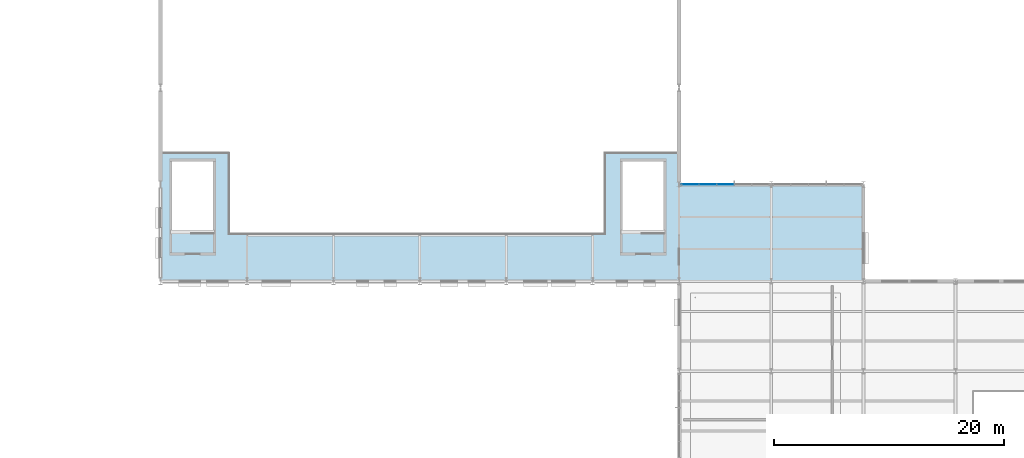
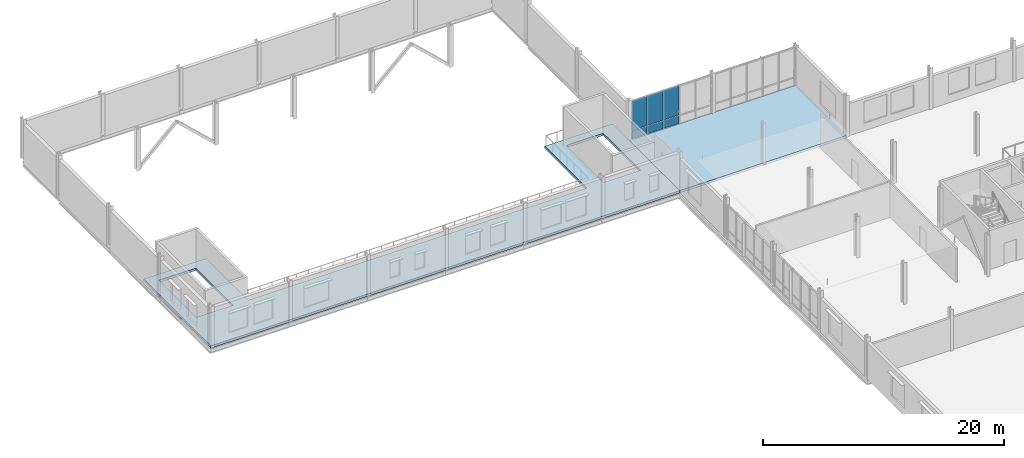
# One storey, part 51 of 75: 6 plates, 2 slabs, 1 element without a shape of its own.
"""IFC4 building model written with IfcOpenShell, lengths in metres."""

from ifc_helpers import new_model, si_unit, direction, frame, origin, origin_2d, place, context, subcontext, project, spatial, polyline, rectangle, outline, extrude, material, layer, layer_set, type_object, element, aggregate, save


model = new_model("IFC4")

# Units and contexts
model_context = context("Model", 3, precision=1e-05, world=origin(), true_north=direction((0.0, 1.0)))
body_context = subcontext(model_context, "Body", "Model", "MODEL_VIEW")
ifc_project = project(units=[si_unit("LENGTHUNIT", "METRE"), si_unit("AREAUNIT", "SQUARE_METRE"), si_unit("VOLUMEUNIT", "CUBIC_METRE"), si_unit("PLANEANGLEUNIT", "RADIAN"), si_unit("MASSUNIT", "GRAM", prefix="KILO")], contexts=[model_context])

# Site, building, storey
site_placement = place(None, origin())
site = spatial("IfcSite", under=ifc_project, at=site_placement, CompositionType="ELEMENT")
building_placement = place(site_placement, origin())
building = spatial("IfcBuilding", under=site, at=building_placement, Name="Yukiwa Park Conservatory and Herbarium", CompositionType="ELEMENT")
storey_placement = place(building_placement, frame((0.0, 0.0, 4.800048828125)))
storey = spatial("IfcBuildingStorey", under=building, at=storey_placement, Name="L01", CompositionType="ELEMENT", Elevation=4.800048828125)

# Curtain wall, plates
ifc_material_1 = material(Name="Triple Low-E Insulated Glass", Category="glass")
ifc_layer_1 = layer(ifc_material_1, 0.236083984375)
ifc_layer_set_1 = layer_set([ifc_layer_1], Name="Triple Low-E Insulated Glass")
curtain_wall_type = type_object("IfcCurtainWallType", Name="CW-LINK-1500", PredefinedType="NOTDEFINED", material=ifc_layer_set_1)
curtain_wall_placement = place(storey_placement, origin())
curtain_wall = element("IfcCurtainWall", 1, at=curtain_wall_placement, inside=storey, type_object=curtain_wall_type, Name="L01 unitised curtain wall CW-L01-047", PredefinedType="NOTDEFINED")
ifc_material_2 = material(Name="Triple Low-E Insulated Glass", Category="glass")
ifc_layer_2 = layer(ifc_material_2, 0.035888671875)
ifc_layer_set_2 = layer_set([ifc_layer_2], Name="Triple Low-E Insulated Glass")
plate_type_1 = type_object("IfcPlateType", Name="PL-CW-GLZ-36", PredefinedType="CURTAIN_PANEL", material=ifc_layer_set_2)
plate_1_placement = place(storey_placement, frame((64.02490234375, 86.39990234375, 0.93505859375), z_axis=(0.0, 0.0, 1.0), x_axis=(-1.0, 0.0, 0.0)))
plate_1 = element("IfcPlate", 2, at=plate_1_placement, type_object=plate_type_1, Name="CW-L01-047 vision panel 3.2", PredefinedType="CURTAIN_PANEL", context=body_context, shape_type="SweptSolid", body=[
    extrude(rectangle(XDim=1.4599609375, YDim=0.035888671875, at=origin_2d()), origin(), (0.0, 0.0, 1.0), 2.949951171875),
])
plate_2_placement = place(storey_placement, frame((62.4951171875, 86.39990234375, 0.93505859375), z_axis=(0.0, 0.0, 1.0), x_axis=(-1.0, 0.0, 0.0)))
plate_2 = element("IfcPlate", 3, at=plate_2_placement, type_object=plate_type_1, Name="CW-L01-047 vision panel 4.2", PredefinedType="CURTAIN_PANEL", context=body_context, shape_type="SweptSolid", body=[
    extrude(rectangle(XDim=1.4599609375, YDim=0.035888671875, at=origin_2d()), origin(), (0.0, 0.0, 1.0), 2.949951171875),
])
plate_3_placement = place(storey_placement, frame((60.965087890625, 86.39990234375, 0.93505859375), z_axis=(0.0, 0.0, 1.0), x_axis=(-1.0, 0.0, 0.0)))
plate_3 = element("IfcPlate", 4, at=plate_3_placement, type_object=plate_type_1, Name="CW-L01-047 vision panel 5.2", PredefinedType="CURTAIN_PANEL", context=body_context, shape_type="SweptSolid", body=[
    extrude(rectangle(XDim=1.4599609375, YDim=0.035888671875, at=origin_2d()), origin(), (0.0, 0.0, 1.0), 2.949951171875),
])
ifc_material_3 = material(Name="Anodised Aluminium", Category="aluminium")
ifc_layer_3 = layer(ifc_material_3, 0.044921875)
ifc_layer_set_3 = layer_set([ifc_layer_3], Name="Anodised Aluminium")
plate_type_2 = type_object("IfcPlateType", Name="PL-CW-SPN-45", PredefinedType="CURTAIN_PANEL", material=ifc_layer_set_3)
plate_4_placement = place(storey_placement, frame((64.02490234375, 86.39990234375, 0.070068359375), z_axis=(0.0, 0.0, 1.0), x_axis=(-1.0, 0.0, 0.0)))
plate_4 = element("IfcPlate", 5, at=plate_4_placement, type_object=plate_type_2, Name="CW-L01-047 spandrel panel 3.1", PredefinedType="CURTAIN_PANEL", context=body_context, shape_type="SweptSolid", body=[
    extrude(rectangle(XDim=1.4599609375, YDim=0.044921875, at=origin_2d()), origin(), (0.0, 0.0, 1.0), 0.794921875),
])
plate_5_placement = place(storey_placement, frame((62.4951171875, 86.39990234375, 0.070068359375), z_axis=(0.0, 0.0, 1.0), x_axis=(-1.0, 0.0, 0.0)))
plate_5 = element("IfcPlate", 6, at=plate_5_placement, type_object=plate_type_2, Name="CW-L01-047 spandrel panel 4.1", PredefinedType="CURTAIN_PANEL", context=body_context, shape_type="SweptSolid", body=[
    extrude(rectangle(XDim=1.4599609375, YDim=0.044921875, at=origin_2d()), origin(), (0.0, 0.0, 1.0), 0.794921875),
])
plate_6_placement = place(storey_placement, frame((60.965087890625, 86.39990234375, 0.070068359375), z_axis=(0.0, 0.0, 1.0), x_axis=(-1.0, 0.0, 0.0)))
plate_6 = element("IfcPlate", 7, at=plate_6_placement, type_object=plate_type_2, Name="CW-L01-047 spandrel panel 5.1", PredefinedType="CURTAIN_PANEL", context=body_context, shape_type="SweptSolid", body=[
    extrude(rectangle(XDim=1.4599609375, YDim=0.044921875, at=origin_2d()), origin(), (0.0, 0.0, 1.0), 0.794921875),
])
aggregate(curtain_wall, [plate_4, plate_1, plate_5, plate_2, plate_6, plate_3])

# Slabs
ifc_material_4 = material(Name="Concrete C40", Category="concrete")
ifc_layer_4 = layer(ifc_material_4, 0.239990234375)
ifc_layer_set_4 = layer_set([ifc_layer_4], Name="Concrete C40")
slab_type = type_object("IfcSlabType", Name="SL-FLR-240", PredefinedType="FLOOR", material=ifc_layer_set_4)
slab_1_placement = place(storey_placement, frame((0.0, 0.0, -0.239990234375)))
element("IfcSlab", 8, at=slab_1_placement, inside=storey, type_object=slab_type, Name="L01 composite structural floor slab LNKAV", PredefinedType="FLOOR", context=body_context, shape_type="SweptSolid", body=[
    extrude(outline(polyline([(60.0, 78.0), (60.0, 86.39990234375), (76.0, 86.39990234375), (76.0, 78.0), (60.0, 78.0)])), origin(), (0.0, 0.0, 1.0), 0.239990234375),
])
slab_2_placement = place(storey_placement, frame((0.0, 0.0, -0.239990234375)))
element("IfcSlab", 9, at=slab_2_placement, inside=storey, type_object=slab_type, Name="L01 composite structural floor slab V4", PredefinedType="FLOOR", context=body_context, shape_type="SweptSolid", body=[
    extrude(outline(polyline([(53.5, 78.0), (21.0, 78.0), (15.0, 78.0), (15.0, 82.199951171875), (15.0, 89.199951171875), (21.0, 89.199951171875), (21.0, 82.199951171875), (53.5, 82.199951171875), (53.5, 89.199951171875), (60.0, 89.199951171875), (60.0, 82.199951171875), (60.0, 78.0), (53.5, 78.0)]), holes=[polyline([(19.550048828125, 88.39990234375), (16.0, 88.39990234375), (16.0, 82.199951171875), (19.550048828125, 82.199951171875), (19.550048828125, 88.39990234375)]), polyline([(58.64990234375, 88.39990234375), (55.10009765625, 88.39990234375), (55.10009765625, 82.199951171875), (58.64990234375, 82.199951171875), (58.64990234375, 88.39990234375)])]), origin(), (0.0, 0.0, 1.0), 0.239990234375),
])

save(model, "model.ifc")
